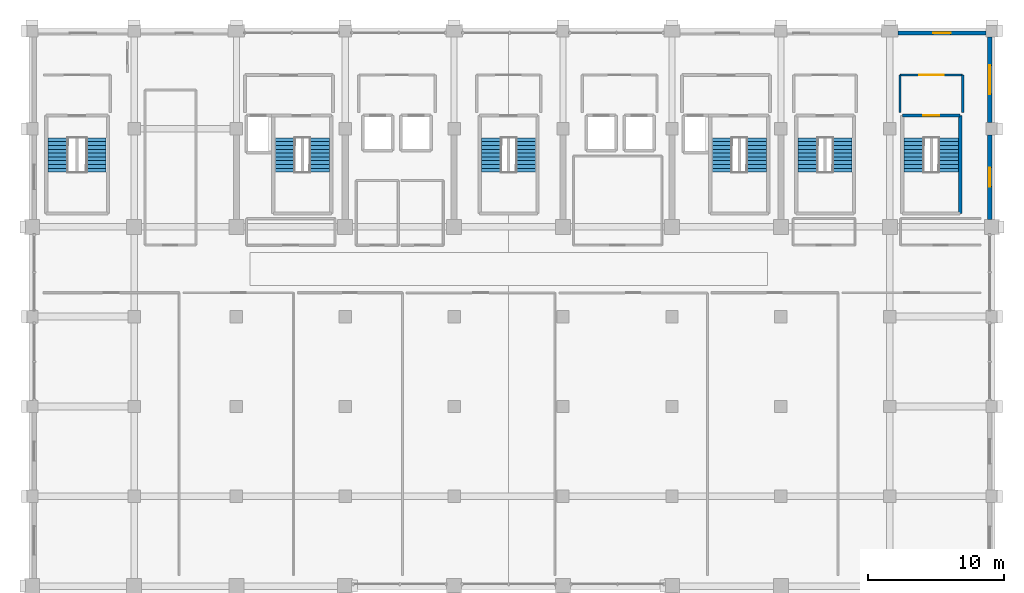
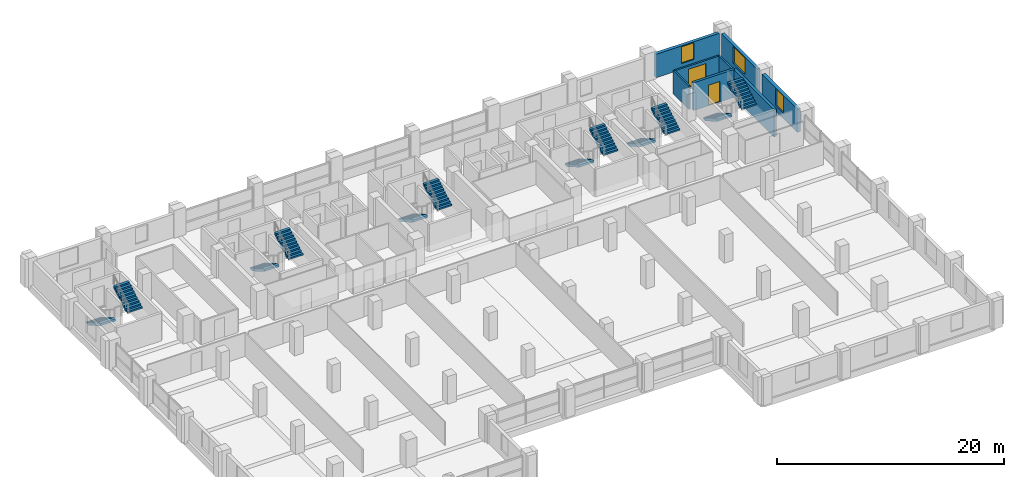
# One storey, part 20 of 21: 12 stair flights, 8 walls, 3 windows, 2 doors, 5 openings, 6 elements without a shape of their own.
"""IFC4 building model written with IfcOpenShell, lengths in metres."""

import ifcopenshell
import ifcopenshell.guid

model = None  # the IFC model being written
_history = None  # IfcOwnerHistory: only IFC2X3 demands one
_inside = {}  # id of a spatial element -> (the spatial element, [elements in it])
_under = {}  # id of a project, library or spatial element -> (it, [spatial elements below it])
_declared = {}  # id of a project -> (the project, [libraries it declares])
_typed = {}  # id of a type object -> (the type object, [elements of that type])
_made_of = {}  # id of a material, layer set ... -> (it, [elements and type objects made of it])


def new_model(schema):
    """Start an empty IFC model of exactly this schema.

    Asked for "IFC4X3", IfcOpenShell would pick the latest addendum, in which some entities
    have other attributes; the version numbers below select the first issue.
    IFC2X3 requires an IfcOwnerHistory on every rooted entity: one is made here for all.
    """
    global model, _history
    if schema == "IFC4X3":
        model = ifcopenshell.file(schema_version=(4, 3, 0, 0))
    else:
        model = ifcopenshell.file(schema=schema)
    _inside.clear()
    _under.clear()
    _declared.clear()
    _typed.clear()
    _made_of.clear()
    _history = None
    if model.schema == "IFC2X3":
        org = make("IfcOrganization", Name="unknown")
        user = make(
            "IfcPersonAndOrganization",
            ThePerson=make("IfcPerson", FamilyName="unknown"),
            TheOrganization=org,
        )
        app = make(
            "IfcApplication",
            ApplicationDeveloper=org,
            Version="unknown",
            ApplicationFullName="unknown",
            ApplicationIdentifier="unknown",
        )
        _history = make(
            "IfcOwnerHistory",
            OwningUser=user,
            OwningApplication=app,
            ChangeAction="ADDED",
            CreationDate=0,
        )
    return model


def make(cls, **values):
    """One entity of the class cls with the attributes given. An attribute that is None is left unset."""
    return model.create_entity(
        cls, **{name: value for name, value in values.items() if value is not None}
    )


def rooted(cls, **values):
    """An entity with a GlobalId (a new one), such as an element, a storey or a relation."""
    return make(cls, GlobalId=ifcopenshell.guid.new(), OwnerHistory=_history, **values)


def si_unit(unit_type, name, prefix=None):
    """IfcSIUnit, for example si_unit("LENGTHUNIT", "METRE", prefix="MILLI")."""
    return make("IfcSIUnit", UnitType=unit_type, Prefix=prefix, Name=name)


def assignment(units):
    """IfcUnitAssignment: the units of a project."""
    return None if units is None else make("IfcUnitAssignment", Units=units)


def point(xyz):
    """IfcCartesianPoint."""
    return None if xyz is None else make("IfcCartesianPoint", Coordinates=xyz)


def direction(xyz):
    """IfcDirection."""
    return None if xyz is None else make("IfcDirection", DirectionRatios=xyz)


def frame(location, z_axis=None, x_axis=None):
    """IfcAxis2Placement3D, a coordinate frame: its origin and axes. An axis left out is left unset."""
    return make(
        "IfcAxis2Placement3D",
        Location=point(location),
        Axis=direction(z_axis),
        RefDirection=direction(x_axis),
    )


def frame_2d(location, x_axis=None):
    """IfcAxis2Placement2D, a coordinate frame in the plane: its origin and x axis."""
    return make(
        "IfcAxis2Placement2D", Location=point(location), RefDirection=direction(x_axis)
    )


def origin():
    """The frame at (0, 0, 0) with its axes left unset."""
    return frame((0.0, 0.0, 0.0))


def place(relative_to, where):
    """IfcLocalPlacement: puts the frame where relative to a parent placement (None: the world)."""
    return make(
        "IfcLocalPlacement", PlacementRelTo=relative_to, RelativePlacement=where
    )


def context(
    kind, dimensions, precision=None, world=None, true_north=None, identifier=None
):
    """IfcGeometricRepresentationContext, for example the 3D "Model" context."""
    return make(
        "IfcGeometricRepresentationContext",
        ContextIdentifier=identifier,
        ContextType=kind,
        CoordinateSpaceDimension=dimensions,
        Precision=precision,
        WorldCoordinateSystem=world,
        TrueNorth=true_north,
    )


def subcontext(parent, identifier, kind, view, scale=None):
    """IfcGeometricRepresentationSubContext, for example "Body" below "Model"."""
    return make(
        "IfcGeometricRepresentationSubContext",
        ContextIdentifier=identifier,
        ContextType=kind,
        ParentContext=parent,
        TargetScale=scale,
        TargetView=view,
    )


def project(units=None, contexts=None):
    """IfcProject with its units and contexts."""
    return rooted(
        "IfcProject",
        Name="project",
        RepresentationContexts=contexts,
        UnitsInContext=assignment(units),
    )


def spatial(cls, under=None, at=None, **own):
    """A site, building, storey or space (cls), placed at a placement, below another one or the project."""
    s = rooted(cls, ObjectPlacement=at, **own)
    if under is not None:
        _under.setdefault(under.id(), (under, []))[1].append(s)
    return s


def polyline(points):
    """IfcPolyline through the points."""
    return make("IfcPolyline", Points=[point(p) for p in points])


def profile(cls, at=None, kind="AREA", **sizes):
    """A parametric profile (cls). Its sizes go by their IFC names, for example OverallWidth=200.0."""
    return make(cls, ProfileType=kind, Position=at, **sizes)


def rectangle(**sizes):
    """IfcRectangleProfileDef."""
    return profile("IfcRectangleProfileDef", **sizes)


def outline(outer, holes=None, kind="AREA"):
    """IfcArbitraryClosedProfileDef: a profile drawn as a closed curve; with holes, ...WithVoids."""
    if holes is None:
        return make("IfcArbitraryClosedProfileDef", ProfileType=kind, OuterCurve=outer)
    return make(
        "IfcArbitraryProfileDefWithVoids",
        ProfileType=kind,
        OuterCurve=outer,
        InnerCurves=holes,
    )


def extrude(swept, where, along, depth):
    """IfcExtrudedAreaSolid: the profile swept, set in the frame where, extruded along a direction by depth."""
    return make(
        "IfcExtrudedAreaSolid",
        SweptArea=swept,
        Position=where,
        ExtrudedDirection=direction(along),
        Depth=depth,
    )


def shape(context_of_items, identifier, shape_type, items):
    """IfcShapeRepresentation: the items that make up one representation, for example the "Body"."""
    return make(
        "IfcShapeRepresentation",
        ContextOfItems=context_of_items,
        RepresentationIdentifier=identifier,
        RepresentationType=shape_type,
        Items=items,
    )


def material(Name=None, Category=None):
    """IfcMaterial."""
    return make("IfcMaterial", Name=Name, Category=Category)


def layer(
    of_material, thickness, ventilated=None, Name=None, Category=None, Priority=None
):
    """IfcMaterialLayer: one layer of a wall or slab, of a material (None: an air gap)."""
    return make(
        "IfcMaterialLayer",
        Material=of_material,
        LayerThickness=thickness,
        IsVentilated=ventilated,
        Name=Name,
        Category=Category,
        Priority=Priority,
    )


def layer_set(layers, Name=None):
    """IfcMaterialLayerSet."""
    return make("IfcMaterialLayerSet", MaterialLayers=layers, LayerSetName=Name)


def made_of(thing, what):
    """Note that an element or type object is made of a material, layer set ...; save() writes the relation."""
    if what is not None:
        _made_of.setdefault(what.id(), (what, []))[1].append(thing)
    return thing


def type_object(cls, material=None, **own):
    """A type object (cls), such as IfcWallType, which elements share."""
    return made_of(rooted(cls, **own), material)


def element(
    cls,
    number,
    at=None,
    inside=None,
    cuts=None,
    type_object=None,
    material=None,
    context=None,
    identifier="Body",
    shape_type=None,
    held_by="IfcProductDefinitionShape",
    body=None,
    shapes=None,
    **own,
):
    """One element of the class cls, such as IfcWall. Its Tag is "e" and its number.

    at: its placement. inside: the storey or other place that contains it. cuts: it is an
    opening in that element (IfcRelVoidsElement). A single representation is given by context,
    identifier, shape_type and body (its items); several are given by shapes. held_by: the class
    of the entity that holds the representations. save() writes the other relations.
    """
    e = rooted(cls, Tag="e%d" % number, ObjectPlacement=at, **own)
    if body is not None:
        shapes = [shape(context, identifier, shape_type, body)]
    if shapes is not None:
        e.Representation = make(held_by, Representations=shapes)
    if inside is not None:
        _inside.setdefault(inside.id(), (inside, []))[1].append(e)
    if cuts is not None:
        rooted(
            "IfcRelVoidsElement", RelatingBuildingElement=cuts, RelatedOpeningElement=e
        )
    if type_object is not None:
        _typed.setdefault(type_object.id(), (type_object, []))[1].append(e)
    return made_of(e, material)


def fill(opening, filler):
    """IfcRelFillsElement: the door or window that sits in an opening."""
    return rooted(
        "IfcRelFillsElement",
        RelatingOpeningElement=opening,
        RelatedBuildingElement=filler,
    )


def aggregate(whole, parts):
    """IfcRelAggregates: a whole, such as a stair, and the parts it consists of."""
    return rooted("IfcRelAggregates", RelatingObject=whole, RelatedObjects=parts)


def save(model, path):
    """Write the relations noted so far, then the file.

    IfcRelAggregates (storeys below a building ...), IfcRelContainedInSpatialStructure (elements
    in a storey), IfcRelDefinesByType, IfcRelAssociatesMaterial and IfcRelDeclares: one each for
    every whole, place, type object, material and project.
    """
    for whole, parts in _under.values():
        aggregate(whole, parts)
    for where, things in _inside.values():
        rooted(
            "IfcRelContainedInSpatialStructure",
            RelatedElements=things,
            RelatingStructure=where,
        )
    for kind, things in _typed.values():
        rooted("IfcRelDefinesByType", RelatedObjects=things, RelatingType=kind)
    for what, things in _made_of.values():
        rooted("IfcRelAssociatesMaterial", RelatedObjects=things, RelatingMaterial=what)
    for by, libraries in _declared.values():
        rooted("IfcRelDeclares", RelatingContext=by, RelatedDefinitions=libraries)
    model.write(path)


model = new_model("IFC4")

# Units and contexts
model_context = context("Model", 3, precision=1e-05, world=origin(), true_north=direction((0.0, 1.0)))
body_context = subcontext(model_context, "Body", "Model", "MODEL_VIEW")
ifc_project = project(units=[si_unit("LENGTHUNIT", "METRE"), si_unit("AREAUNIT", "SQUARE_METRE"), si_unit("VOLUMEUNIT", "CUBIC_METRE"), si_unit("PLANEANGLEUNIT", "RADIAN"), si_unit("MASSUNIT", "GRAM", prefix="KILO")], contexts=[model_context])

# Site, building, storey
site_placement = place(None, origin())
site = spatial("IfcSite", under=ifc_project, at=site_placement, CompositionType="ELEMENT")
building_placement = place(site_placement, origin())
building = spatial("IfcBuilding", under=site, at=building_placement, Name="Akrevak Sports Hall", CompositionType="ELEMENT")
storey_placement = place(building_placement, frame((0.0, 0.0, 27.550048828125)))
storey = spatial("IfcBuildingStorey", under=building, at=storey_placement, Name="L05", CompositionType="ELEMENT", Elevation=27.550048828125)

# Wall, opening, window
ifc_material_1 = material(Name="Limestone Ashlar", Category="stone")
ifc_layer_1 = layer(ifc_material_1, 0.070068359375, Name="Limestone Ashlar")
ifc_material_2 = material(Name="Mineral Wool Thermal Insulation", Category="insulation")
ifc_layer_2 = layer(ifc_material_2, 0.090087890625, Name="Mineral Wool Thermal Insulation")
ifc_material_3 = material(Name="Concrete C40/50", Category="concrete")
ifc_layer_3 = layer(ifc_material_3, 0.159912109375, Name="Concrete C40/50")
ifc_layer_set_1 = layer_set([ifc_layer_1, ifc_layer_2, ifc_layer_3], Name="Limestone Ashlar / Mineral Wool Thermal Insulation / Concrete C40/50")
wall_type_1 = type_object("IfcWallType", Name="ARC-WL-EXT-320", PredefinedType="SOLIDWALL", material=ifc_layer_set_1)
wall_1_placement = place(storey_placement, frame((115.340087890625, 55.75, 0.0), z_axis=(0.0, 0.0, 1.0), x_axis=(0.0, 1.0, 0.0)))
wall_1 = element("IfcWall", 1, at=wall_1_placement, inside=storey, type_object=wall_type_1, Name="Tower Stone Facade Wall L05-E17", PredefinedType="SOLIDWALL", context=body_context, shape_type="SweptSolid", body=[
    extrude(rectangle(XDim=6.199951171875, YDim=0.320068359375, at=frame_2d((3.10009765625, 0.0))), origin(), (0.0, 0.0, 1.0), 2.530029296875),
])
opening_1_placement = place(wall_1_placement, frame((2.39990234375, 0.0, 0.6201171875)))
opening_1 = element("IfcOpeningElement", 2, at=opening_1_placement, cuts=wall_1, Name="Opening WN-49", PredefinedType="OPENING", context=body_context, shape_type="SweptSolid", body=[
    extrude(rectangle(XDim=1.39990234375, YDim=1.81005859375, at=frame_2d((0.699951171875, 0.905029296875))), frame((0.0, 0.171875, 0.0), z_axis=(0.0, -1.0, 0.0), x_axis=(1.0, 0.0, 0.0)), (0.0, 0.0, 1.0), 0.343994140625),
])
ifc_material_4 = material(Name="Thermally Broken Bronze Frame & Double Low-E Glass", Category="glass")
window_type_1 = type_object("IfcWindowType", Name="ARC-WIN-SZ-1400x1810", PartitioningType="SINGLE_PANEL", PredefinedType="WINDOW", material=ifc_material_4)
window_1_placement = place(opening_1_placement, origin())
window_1 = element("IfcWindow", 3, at=window_1_placement, inside=storey, type_object=window_type_1, Name="Tower Window L05-E17", OverallHeight=1.81005859375, OverallWidth=1.39990234375, PartitioningType="SINGLE_PANEL", PredefinedType="WINDOW", context=body_context, shape_type="SweptSolid", body=[
    extrude(rectangle(XDim=1.39990234375, YDim=1.81005859375, at=frame_2d((0.699951171875, 0.905029296875))), frame((0.0, 0.030029296875, 0.0), z_axis=(0.0, -1.0, 0.0), x_axis=(1.0, 0.0, 0.0)), (0.0, 0.0, 1.0), 0.06005859375),
])
fill(opening_1, window_1)

wall_2_placement = place(storey_placement, frame((115.340087890625, 62.85009765625, 0.0), z_axis=(0.0, 0.0, 1.0), x_axis=(0.0, 1.0, 0.0)))
wall_2 = element("IfcWall", 4, at=wall_2_placement, inside=storey, type_object=wall_type_1, Name="Tower Stone Facade Wall L05-E18", PredefinedType="SOLIDWALL", context=body_context, shape_type="SweptSolid", body=[
    extrude(rectangle(XDim=6.2998046875, YDim=0.320068359375, at=frame_2d((3.14990234375, 0.0))), origin(), (0.0, 0.0, 1.0), 2.530029296875),
])
opening_2_placement = place(wall_2_placement, frame((2.10009765625, 0.0, 0.6201171875)))
opening_2 = element("IfcOpeningElement", 5, at=opening_2_placement, cuts=wall_2, Name="Opening WN-55", PredefinedType="OPENING", context=body_context, shape_type="SweptSolid", body=[
    extrude(rectangle(XDim=2.10009765625, YDim=1.81005859375, at=frame_2d((1.050048828125, 0.905029296875))), frame((0.0, 0.171875, 0.0), z_axis=(0.0, -1.0, 0.0), x_axis=(1.0, 0.0, 0.0)), (0.0, 0.0, 1.0), 0.343994140625),
])
window_type_2 = type_object("IfcWindowType", Name="ARC-WIN-SZ-2100x1810", PartitioningType="SINGLE_PANEL", PredefinedType="WINDOW", material=ifc_material_4)
window_2_placement = place(opening_2_placement, origin())
window_2 = element("IfcWindow", 6, at=window_2_placement, inside=storey, type_object=window_type_2, Name="Tower Window L05-E18", OverallHeight=1.81005859375, OverallWidth=2.10009765625, PartitioningType="SINGLE_PANEL", PredefinedType="WINDOW", context=body_context, shape_type="SweptSolid", body=[
    extrude(rectangle(XDim=2.10009765625, YDim=1.81005859375, at=frame_2d((1.050048828125, 0.905029296875))), frame((0.0, 0.030029296875, 0.0), z_axis=(0.0, -1.0, 0.0), x_axis=(1.0, 0.0, 0.0)), (0.0, 0.0, 1.0), 0.06005859375),
])
fill(opening_2, window_2)

wall_3_placement = place(storey_placement, frame((115.050048828125, 69.43994140625, 0.0), z_axis=(0.0, 0.0, 1.0), x_axis=(-1.0, 0.0, 0.0)))
wall_3 = element("IfcWall", 7, at=wall_3_placement, inside=storey, type_object=wall_type_1, Name="Tower Stone Facade Wall L05-N19", PredefinedType="SOLIDWALL", context=body_context, shape_type="SweptSolid", body=[
    extrude(rectangle(XDim=6.449951171875, YDim=0.320068359375, at=frame_2d((3.22509765625, 0.0))), origin(), (0.0, 0.0, 1.0), 2.530029296875),
])
opening_3_placement = place(wall_3_placement, frame((2.574951171875, 0.0, 0.6201171875)))
opening_3 = element("IfcOpeningElement", 8, at=opening_3_placement, cuts=wall_3, Name="Opening WN-12", PredefinedType="OPENING", context=body_context, shape_type="SweptSolid", body=[
    extrude(rectangle(XDim=1.300048828125, YDim=1.800048828125, at=frame_2d((0.64990234375, 0.89990234375))), frame((0.0, 0.171875, 0.0), z_axis=(0.0, -1.0, 0.0), x_axis=(1.0, 0.0, 0.0)), (0.0, 0.0, 1.0), 0.343994140625),
])
window_type_3 = type_object("IfcWindowType", Name="ARC-WIN-TW-130x180", PartitioningType="SINGLE_PANEL", PredefinedType="WINDOW", material=ifc_material_4)
window_3_placement = place(opening_3_placement, origin())
window_3 = element("IfcWindow", 9, at=window_3_placement, inside=storey, type_object=window_type_3, Name="Tower Window L05-N19", OverallHeight=1.800048828125, OverallWidth=1.300048828125, PartitioningType="SINGLE_PANEL", PredefinedType="WINDOW", context=body_context, shape_type="SweptSolid", body=[
    extrude(rectangle(XDim=1.300048828125, YDim=1.800048828125, at=frame_2d((0.64990234375, 0.89990234375))), frame((0.0, 0.030029296875, 0.0), z_axis=(0.0, -1.0, 0.0), x_axis=(1.0, 0.0, 0.0)), (0.0, 0.0, 1.0), 0.06005859375),
])
fill(opening_3, window_3)

# Wall, opening, door
ifc_material_5 = material(Name="Autoclaved Aerated Masonry Block", Category="masonry")
ifc_layer_4 = layer(ifc_material_5, 0.179931640625, Name="Autoclaved Aerated Masonry Block")
ifc_layer_set_2 = layer_set([ifc_layer_4], Name="Autoclaved Aerated Masonry Block")
wall_type_2 = type_object("IfcWallType", Name="ARC-WL-PRT-180", PredefinedType="PARTITIONING", material=ifc_layer_set_2)
wall_4_placement = place(storey_placement, frame((108.75, 66.35009765625, 0.0), z_axis=(0.0, 0.0, 1.0), x_axis=(1.0, 0.0, 0.0)))
wall_4 = element("IfcWall", 10, at=wall_4_placement, inside=storey, type_object=wall_type_2, Name="Interior Partition East Transfer Stair ST11 Vestibule L05 (N)", PredefinedType="PARTITIONING", context=body_context, shape_type="SweptSolid", body=[
    extrude(rectangle(XDim=4.60009765625, YDim=0.179931640625, at=frame_2d((2.300048828125, 0.0))), origin(), (0.0, 0.0, 1.0), 2.530029296875),
])
opening_4_placement = place(wall_4_placement, frame((1.39990234375, 0.0, 0.0)))
opening_4 = element("IfcOpeningElement", 11, at=opening_4_placement, cuts=wall_4, Name="Opening FD-02", PredefinedType="OPENING", context=body_context, shape_type="SweptSolid", body=[
    extrude(rectangle(XDim=1.800048828125, YDim=2.199951171875, at=frame_2d((0.89990234375, 1.10009765625))), frame((0.0, 0.10205078125, 0.0), z_axis=(0.0, -1.0, 0.0), x_axis=(1.0, 0.0, 0.0)), (0.0, 0.0, 1.0), 0.203857421875),
])
ifc_material_6 = material(Name="Fire-Rated Galvanized Door Steel", Category="steel")
door_type_1 = type_object("IfcDoorType", Name="ARC-DR-FIRE-180x220", OperationType="DOUBLE_DOOR_SINGLE_SWING", PredefinedType="DOOR", material=ifc_material_6)
door_1_placement = place(opening_4_placement, frame((1.800048828125, 0.0, 0.0), z_axis=(0.0, 0.0, 1.0), x_axis=(-1.0, 0.0, 0.0)))
door_1 = element("IfcDoor", 12, at=door_1_placement, inside=storey, type_object=door_type_1, Name="Door to East Transfer Stair ST11 Vestibule L05", OperationType="DOUBLE_DOOR_SINGLE_SWING", OverallHeight=2.199951171875, OverallWidth=1.800048828125, PredefinedType="DOOR", context=body_context, shape_type="SweptSolid", body=[
    extrude(rectangle(XDim=1.800048828125, YDim=2.199951171875, at=frame_2d((0.89990234375, 1.10009765625))), frame((0.0, 0.02490234375, 0.0), z_axis=(0.0, -1.0, 0.0), x_axis=(1.0, 0.0, 0.0)), (0.0, 0.0, 1.0), 0.050048828125),
])
fill(opening_4, door_1)

# Walls
for number, where, z_axis, x_axis, name in (
    (13, (108.75, 63.60009765625, 0.0), (0.0, 0.0, 1.0), (0.0, 1.0, 0.0), "Interior Partition East Transfer Stair ST11 Vestibule L05 (W)"),
    (14, (113.35009765625, 63.60009765625, 0.0), (0.0, 0.0, 1.0), (0.0, 1.0, 0.0), "Interior Partition East Transfer Stair ST11 Vestibule L05 (E)"),
):
    element("IfcWall", number, at=place(storey_placement, frame(where, z_axis=z_axis, x_axis=x_axis)), inside=storey, type_object=wall_type_2, Name=name, PredefinedType="PARTITIONING", context=body_context, shape_type="SweptSolid", body=[
        extrude(rectangle(XDim=2.75, YDim=0.179931640625, at=frame_2d((1.375, 0.0))), origin(), (0.0, 0.0, 1.0), 2.530029296875),
    ])

# Wall, opening, door
ifc_material_7 = material(Name="Concrete C50/60", Category="concrete")
ifc_layer_5 = layer(ifc_material_7, 0.25, Name="Concrete C50/60")
ifc_layer_set_3 = layer_set([ifc_layer_5], Name="Concrete C50/60")
wall_type_3 = type_object("IfcWallType", Name="STR-WL-STAIR-250", PredefinedType="SHEAR", material=ifc_layer_set_3)
wall_5_placement = place(storey_placement, frame((113.175048828125, 63.375, 0.0), z_axis=(0.0, 0.0, 1.0), x_axis=(-1.0, 0.0, 0.0)))
wall_5 = element("IfcWall", 15, at=wall_5_placement, inside=storey, type_object=wall_type_3, Name="Stair Core ST11 Shear Wall N (L05)", PredefinedType="SHEAR", context=body_context, shape_type="SweptSolid", body=[
    extrude(rectangle(XDim=4.25, YDim=0.25, at=frame_2d((2.125, 0.0))), origin(), (0.0, 0.0, 1.0), 2.989990234375),
])
opening_5_placement = place(wall_5_placement, frame((1.52490234375, 0.0, 0.0)))
opening_5 = element("IfcOpeningElement", 16, at=opening_5_placement, cuts=wall_5, Name="Opening SD-02", PredefinedType="OPENING", context=body_context, shape_type="SweptSolid", body=[
    extrude(rectangle(XDim=1.199951171875, YDim=2.199951171875, at=frame_2d((0.60009765625, 1.10009765625))), frame((0.0, 0.136962890625, 0.0), z_axis=(0.0, -1.0, 0.0), x_axis=(1.0, 0.0, 0.0)), (0.0, 0.0, 1.0), 0.27392578125),
])
door_type_2 = type_object("IfcDoorType", Name="ARC-DR-STAIR-120x220", OperationType="NOTDEFINED", PredefinedType="DOOR", material=ifc_material_6)
door_2_placement = place(opening_5_placement, origin())
door_2 = element("IfcDoor", 17, at=door_2_placement, inside=storey, type_object=door_type_2, Name="Exit Stair ST11 Door (L05)", OperationType="SINGLE_SWING_LEFT", OverallHeight=2.199951171875, OverallWidth=1.199951171875, PredefinedType="DOOR", context=body_context, shape_type="SweptSolid", body=[
    extrude(rectangle(XDim=1.199951171875, YDim=2.199951171875, at=frame_2d((0.60009765625, 1.10009765625))), frame((0.0, 0.02490234375, 0.0), z_axis=(0.0, -1.0, 0.0), x_axis=(1.0, 0.0, 0.0)), (0.0, 0.0, 1.0), 0.050048828125),
])
fill(opening_5, door_2)

# Wall
wall_6_placement = place(storey_placement, frame((113.175048828125, 56.175048828125, 0.0), z_axis=(0.0, 0.0, 1.0), x_axis=(0.0, 1.0, 0.0)))
element("IfcWall", 18, at=wall_6_placement, inside=storey, type_object=wall_type_3, Name="Stair Core ST11 Shear Wall E (L05)", PredefinedType="SHEAR", context=body_context, shape_type="SweptSolid", body=[
    extrude(rectangle(XDim=7.199951171875, YDim=0.25, at=frame_2d((3.60009765625, 0.0))), origin(), (0.0, 0.0, 1.0), 2.989990234375),
])

# Stair, stair flights
stair_type_1 = type_object("IfcStairType", Name="ARC-STR-DOG-325", PredefinedType="HALF_TURN_STAIR", material=ifc_material_3)
stair_1_placement = place(storey_placement, origin())
stair_1 = element("IfcStair", 19, at=stair_1_placement, inside=storey, type_object=stair_type_1, Name="Protected Exit Stair ST1 (L05 to L06)", PredefinedType="HALF_TURN_STAIR")
stair_flight_type_1 = type_object("IfcStairFlightType", Name="ARC-FLT-165-163", PredefinedType="STRAIGHT", material=ifc_material_3)
stair_flight_1_placement = place(storey_placement, frame((63.610107421875, 61.735107421875, 0.0), z_axis=(0.0, 0.0, 1.0), x_axis=(0.0, -1.0, 0.0)))
stair_flight_1 = element("IfcStairFlight", 20, at=stair_flight_1_placement, type_object=stair_flight_type_1, Name="Stair ST1 Flight 1 (L05)", NumberOfRisers=10, NumberOfTreads=9, PredefinedType="STRAIGHT", RiserHeight=0.1625, TreadLength=0.28, context=body_context, shape_type="SweptSolid", body=[
    extrude(outline(polyline([(0.0, 0.0), (0.0, 0.16259765625), (0.280029296875, 0.16259765625), (0.280029296875, 0.324951171875), (0.56005859375, 0.324951171875), (0.56005859375, 0.487548828125), (0.840087890625, 0.487548828125), (0.840087890625, 0.64990234375), (1.1201171875, 0.64990234375), (1.1201171875, 0.8125), (1.39990234375, 0.8125), (1.39990234375, 0.97509765625), (1.679931640625, 0.97509765625), (1.679931640625, 1.137451171875), (1.9599609375, 1.137451171875), (1.9599609375, 1.300048828125), (2.239990234375, 1.300048828125), (2.239990234375, 1.46240234375), (2.52001953125, 1.46240234375), (2.52001953125, 1.625), (2.52001953125, 1.231201171875), (0.3984375, 0.0), (0.0, 0.0)])), frame((0.0, 0.75, 0.0), z_axis=(0.0, -1.0, 0.0), x_axis=(1.0, 0.0, 0.0)), (0.0, 0.0, 1.0), 1.5),
])
stair_flight_2_placement = place(storey_placement, frame((66.090087890625, 59.215087890625, 1.625), z_axis=(0.0, 0.0, 1.0), x_axis=(0.0, 1.0, 0.0)))
stair_flight_2 = element("IfcStairFlight", 21, at=stair_flight_2_placement, type_object=stair_flight_type_1, Name="Stair ST1 Flight 2 (L05)", NumberOfRisers=10, NumberOfTreads=9, PredefinedType="STRAIGHT", RiserHeight=0.1625, TreadLength=0.28, context=body_context, shape_type="SweptSolid", body=[
    extrude(outline(polyline([(0.0, 0.0), (0.0, 0.16259765625), (0.280029296875, 0.16259765625), (0.280029296875, 0.324951171875), (0.56005859375, 0.324951171875), (0.56005859375, 0.487548828125), (0.840087890625, 0.487548828125), (0.840087890625, 0.64990234375), (1.1201171875, 0.64990234375), (1.1201171875, 0.8125), (1.39990234375, 0.8125), (1.39990234375, 0.97509765625), (1.679931640625, 0.97509765625), (1.679931640625, 1.137451171875), (1.9599609375, 1.137451171875), (1.9599609375, 1.300048828125), (2.239990234375, 1.300048828125), (2.239990234375, 1.46240234375), (2.52001953125, 1.46240234375), (2.52001953125, 1.625), (2.52001953125, 1.231201171875), (0.3984375, 0.0), (0.0, 0.0)])), frame((0.0, 0.75, 0.0), z_axis=(0.0, -1.0, 0.0), x_axis=(1.0, 0.0, 0.0)), (0.0, 0.0, 1.0), 1.5),
])
aggregate(stair_1, [stair_flight_1, stair_flight_2])

stair_2_placement = place(storey_placement, origin())
stair_2 = element("IfcStair", 22, at=stair_2_placement, inside=storey, type_object=stair_type_1, Name="Protected Exit Stair ST2 (L05 to L06)", PredefinedType="HALF_TURN_STAIR")
stair_flight_3_placement = place(storey_placement, frame((95.7099609375, 61.735107421875, 0.0), z_axis=(0.0, 0.0, 1.0), x_axis=(0.0, -1.0, 0.0)))
stair_flight_3 = element("IfcStairFlight", 23, at=stair_flight_3_placement, type_object=stair_flight_type_1, Name="Stair ST2 Flight 1 (L05)", NumberOfRisers=10, NumberOfTreads=9, PredefinedType="STRAIGHT", RiserHeight=0.1625, TreadLength=0.28, context=body_context, shape_type="SweptSolid", body=[
    extrude(outline(polyline([(0.0, 0.0), (0.0, 0.16259765625), (0.280029296875, 0.16259765625), (0.280029296875, 0.324951171875), (0.56005859375, 0.324951171875), (0.56005859375, 0.487548828125), (0.840087890625, 0.487548828125), (0.840087890625, 0.64990234375), (1.1201171875, 0.64990234375), (1.1201171875, 0.8125), (1.39990234375, 0.8125), (1.39990234375, 0.97509765625), (1.679931640625, 0.97509765625), (1.679931640625, 1.137451171875), (1.9599609375, 1.137451171875), (1.9599609375, 1.300048828125), (2.239990234375, 1.300048828125), (2.239990234375, 1.46240234375), (2.52001953125, 1.46240234375), (2.52001953125, 1.625), (2.52001953125, 1.231201171875), (0.3984375, 0.0), (0.0, 0.0)])), frame((0.0, 0.75, 0.0), z_axis=(0.0, -1.0, 0.0), x_axis=(1.0, 0.0, 0.0)), (0.0, 0.0, 1.0), 1.5),
])
stair_flight_4_placement = place(storey_placement, frame((98.18994140625, 59.215087890625, 1.625), z_axis=(0.0, 0.0, 1.0), x_axis=(0.0, 1.0, 0.0)))
stair_flight_4 = element("IfcStairFlight", 24, at=stair_flight_4_placement, type_object=stair_flight_type_1, Name="Stair ST2 Flight 2 (L05)", NumberOfRisers=10, NumberOfTreads=9, PredefinedType="STRAIGHT", RiserHeight=0.1625, TreadLength=0.28, context=body_context, shape_type="SweptSolid", body=[
    extrude(outline(polyline([(0.0, 0.0), (0.0, 0.16259765625), (0.280029296875, 0.16259765625), (0.280029296875, 0.324951171875), (0.56005859375, 0.324951171875), (0.56005859375, 0.487548828125), (0.840087890625, 0.487548828125), (0.840087890625, 0.64990234375), (1.1201171875, 0.64990234375), (1.1201171875, 0.8125), (1.39990234375, 0.8125), (1.39990234375, 0.97509765625), (1.679931640625, 0.97509765625), (1.679931640625, 1.137451171875), (1.9599609375, 1.137451171875), (1.9599609375, 1.300048828125), (2.239990234375, 1.300048828125), (2.239990234375, 1.46240234375), (2.52001953125, 1.46240234375), (2.52001953125, 1.625), (2.52001953125, 1.231201171875), (0.3984375, 0.0), (0.0, 0.0)])), frame((0.0, 0.75, 0.0), z_axis=(0.0, -1.0, 0.0), x_axis=(1.0, 0.0, 0.0)), (0.0, 0.0, 1.0), 1.5),
])
aggregate(stair_2, [stair_flight_3, stair_flight_4])

stair_3_placement = place(storey_placement, origin())
stair_3 = element("IfcStair", 25, at=stair_3_placement, inside=storey, type_object=stair_type_1, Name="Protected Exit Stair ST3 (L05 to L06)", PredefinedType="HALF_TURN_STAIR")
stair_flight_5_placement = place(storey_placement, frame((78.760009765625, 61.735107421875, 0.0), z_axis=(0.0, 0.0, 1.0), x_axis=(0.0, -1.0, 0.0)))
stair_flight_5 = element("IfcStairFlight", 26, at=stair_flight_5_placement, type_object=stair_flight_type_1, Name="Stair ST3 Flight 1 (L05)", NumberOfRisers=10, NumberOfTreads=9, PredefinedType="STRAIGHT", RiserHeight=0.1625, TreadLength=0.28, context=body_context, shape_type="SweptSolid", body=[
    extrude(outline(polyline([(0.0, 0.0), (0.0, 0.16259765625), (0.280029296875, 0.16259765625), (0.280029296875, 0.324951171875), (0.56005859375, 0.324951171875), (0.56005859375, 0.487548828125), (0.840087890625, 0.487548828125), (0.840087890625, 0.64990234375), (1.1201171875, 0.64990234375), (1.1201171875, 0.8125), (1.39990234375, 0.8125), (1.39990234375, 0.97509765625), (1.679931640625, 0.97509765625), (1.679931640625, 1.137451171875), (1.9599609375, 1.137451171875), (1.9599609375, 1.300048828125), (2.239990234375, 1.300048828125), (2.239990234375, 1.46240234375), (2.52001953125, 1.46240234375), (2.52001953125, 1.625), (2.52001953125, 1.231201171875), (0.3984375, 0.0), (0.0, 0.0)])), frame((0.0, 0.75, 0.0), z_axis=(0.0, -1.0, 0.0), x_axis=(1.0, 0.0, 0.0)), (0.0, 0.0, 1.0), 1.5),
])
stair_flight_6_placement = place(storey_placement, frame((81.239990234375, 59.215087890625, 1.625), z_axis=(0.0, 0.0, 1.0), x_axis=(0.0, 1.0, 0.0)))
stair_flight_6 = element("IfcStairFlight", 27, at=stair_flight_6_placement, type_object=stair_flight_type_1, Name="Stair ST3 Flight 2 (L05)", NumberOfRisers=10, NumberOfTreads=9, PredefinedType="STRAIGHT", RiserHeight=0.1625, TreadLength=0.28, context=body_context, shape_type="SweptSolid", body=[
    extrude(outline(polyline([(0.0, 0.0), (0.0, 0.16259765625), (0.280029296875, 0.16259765625), (0.280029296875, 0.324951171875), (0.56005859375, 0.324951171875), (0.56005859375, 0.487548828125), (0.840087890625, 0.487548828125), (0.840087890625, 0.64990234375), (1.1201171875, 0.64990234375), (1.1201171875, 0.8125), (1.39990234375, 0.8125), (1.39990234375, 0.97509765625), (1.679931640625, 0.97509765625), (1.679931640625, 1.137451171875), (1.9599609375, 1.137451171875), (1.9599609375, 1.300048828125), (2.239990234375, 1.300048828125), (2.239990234375, 1.46240234375), (2.52001953125, 1.46240234375), (2.52001953125, 1.625), (2.52001953125, 1.231201171875), (0.3984375, 0.0), (0.0, 0.0)])), frame((0.0, 0.75, 0.0), z_axis=(0.0, -1.0, 0.0), x_axis=(1.0, 0.0, 0.0)), (0.0, 0.0, 1.0), 1.5),
])
aggregate(stair_3, [stair_flight_5, stair_flight_6])

stair_4_placement = place(storey_placement, origin())
stair_4 = element("IfcStair", 28, at=stair_4_placement, inside=storey, type_object=stair_type_1, Name="East Wing Exit Stair ST10 (L05 to L06)", PredefinedType="HALF_TURN_STAIR")
stair_flight_7_placement = place(storey_placement, frame((102.010009765625, 61.735107421875, 0.0), z_axis=(0.0, 0.0, 1.0), x_axis=(0.0, -1.0, 0.0)))
stair_flight_7 = element("IfcStairFlight", 29, at=stair_flight_7_placement, type_object=stair_flight_type_1, Name="Stair ST10 Flight 1 (L05)", NumberOfRisers=10, NumberOfTreads=9, PredefinedType="STRAIGHT", RiserHeight=0.1625, TreadLength=0.28, context=body_context, shape_type="SweptSolid", body=[
    extrude(outline(polyline([(0.0, 0.0), (0.0, 0.16259765625), (0.280029296875, 0.16259765625), (0.280029296875, 0.324951171875), (0.56005859375, 0.324951171875), (0.56005859375, 0.487548828125), (0.840087890625, 0.487548828125), (0.840087890625, 0.64990234375), (1.1201171875, 0.64990234375), (1.1201171875, 0.8125), (1.39990234375, 0.8125), (1.39990234375, 0.97509765625), (1.679931640625, 0.97509765625), (1.679931640625, 1.137451171875), (1.9599609375, 1.137451171875), (1.9599609375, 1.300048828125), (2.239990234375, 1.300048828125), (2.239990234375, 1.46240234375), (2.52001953125, 1.46240234375), (2.52001953125, 1.625), (2.52001953125, 1.231201171875), (0.3984375, 0.0), (0.0, 0.0)])), frame((0.0, 0.75, 0.0), z_axis=(0.0, -1.0, 0.0), x_axis=(1.0, 0.0, 0.0)), (0.0, 0.0, 1.0), 1.5),
])
stair_flight_8_placement = place(storey_placement, frame((104.489990234375, 59.215087890625, 1.625), z_axis=(0.0, 0.0, 1.0), x_axis=(0.0, 1.0, 0.0)))
stair_flight_8 = element("IfcStairFlight", 30, at=stair_flight_8_placement, type_object=stair_flight_type_1, Name="Stair ST10 Flight 2 (L05)", NumberOfRisers=10, NumberOfTreads=9, PredefinedType="STRAIGHT", RiserHeight=0.1625, TreadLength=0.28, context=body_context, shape_type="SweptSolid", body=[
    extrude(outline(polyline([(0.0, 0.0), (0.0, 0.16259765625), (0.280029296875, 0.16259765625), (0.280029296875, 0.324951171875), (0.56005859375, 0.324951171875), (0.56005859375, 0.487548828125), (0.840087890625, 0.487548828125), (0.840087890625, 0.64990234375), (1.1201171875, 0.64990234375), (1.1201171875, 0.8125), (1.39990234375, 0.8125), (1.39990234375, 0.97509765625), (1.679931640625, 0.97509765625), (1.679931640625, 1.137451171875), (1.9599609375, 1.137451171875), (1.9599609375, 1.300048828125), (2.239990234375, 1.300048828125), (2.239990234375, 1.46240234375), (2.52001953125, 1.46240234375), (2.52001953125, 1.625), (2.52001953125, 1.231201171875), (0.3984375, 0.0), (0.0, 0.0)])), frame((0.0, 0.75, 0.0), z_axis=(0.0, -1.0, 0.0), x_axis=(1.0, 0.0, 0.0)), (0.0, 0.0, 1.0), 1.5),
])
aggregate(stair_4, [stair_flight_7, stair_flight_8])

stair_5_placement = place(storey_placement, origin())
stair_5 = element("IfcStair", 31, at=stair_5_placement, inside=storey, type_object=stair_type_1, Name="East Transfer Exit Stair ST11 (L05 to L06)", PredefinedType="HALF_TURN_STAIR")
stair_flight_9_placement = place(storey_placement, frame((109.81005859375, 61.735107421875, 0.0), z_axis=(0.0, 0.0, 1.0), x_axis=(0.0, -1.0, 0.0)))
stair_flight_9 = element("IfcStairFlight", 32, at=stair_flight_9_placement, type_object=stair_flight_type_1, Name="Stair ST11 Flight 1 (L05)", NumberOfRisers=10, NumberOfTreads=9, PredefinedType="STRAIGHT", RiserHeight=0.1625, TreadLength=0.28, context=body_context, shape_type="SweptSolid", body=[
    extrude(outline(polyline([(0.0, 0.0), (0.0, 0.16259765625), (0.280029296875, 0.16259765625), (0.280029296875, 0.324951171875), (0.56005859375, 0.324951171875), (0.56005859375, 0.487548828125), (0.840087890625, 0.487548828125), (0.840087890625, 0.64990234375), (1.1201171875, 0.64990234375), (1.1201171875, 0.8125), (1.39990234375, 0.8125), (1.39990234375, 0.97509765625), (1.679931640625, 0.97509765625), (1.679931640625, 1.137451171875), (1.9599609375, 1.137451171875), (1.9599609375, 1.300048828125), (2.239990234375, 1.300048828125), (2.239990234375, 1.46240234375), (2.52001953125, 1.46240234375), (2.52001953125, 1.625), (2.52001953125, 1.231201171875), (0.3984375, 0.0), (0.0, 0.0)])), frame((0.0, 0.75, 0.0), z_axis=(0.0, -1.0, 0.0), x_axis=(1.0, 0.0, 0.0)), (0.0, 0.0, 1.0), 1.5),
])
stair_flight_10_placement = place(storey_placement, frame((112.2900390625, 59.215087890625, 1.625), z_axis=(0.0, 0.0, 1.0), x_axis=(0.0, 1.0, 0.0)))
stair_flight_10 = element("IfcStairFlight", 33, at=stair_flight_10_placement, type_object=stair_flight_type_1, Name="Stair ST11 Flight 2 (L05)", NumberOfRisers=10, NumberOfTreads=9, PredefinedType="STRAIGHT", RiserHeight=0.1625, TreadLength=0.28, context=body_context, shape_type="SweptSolid", body=[
    extrude(outline(polyline([(0.0, 0.0), (0.0, 0.16259765625), (0.280029296875, 0.16259765625), (0.280029296875, 0.324951171875), (0.56005859375, 0.324951171875), (0.56005859375, 0.487548828125), (0.840087890625, 0.487548828125), (0.840087890625, 0.64990234375), (1.1201171875, 0.64990234375), (1.1201171875, 0.8125), (1.39990234375, 0.8125), (1.39990234375, 0.97509765625), (1.679931640625, 0.97509765625), (1.679931640625, 1.137451171875), (1.9599609375, 1.137451171875), (1.9599609375, 1.300048828125), (2.239990234375, 1.300048828125), (2.239990234375, 1.46240234375), (2.52001953125, 1.46240234375), (2.52001953125, 1.625), (2.52001953125, 1.231201171875), (0.3984375, 0.0), (0.0, 0.0)])), frame((0.0, 0.75, 0.0), z_axis=(0.0, -1.0, 0.0), x_axis=(1.0, 0.0, 0.0)), (0.0, 0.0, 1.0), 1.5),
])
aggregate(stair_5, [stair_flight_9, stair_flight_10])

stair_type_2 = type_object("IfcStairType", Name="ARC-STR-MDOG-325", PredefinedType="HALF_TURN_STAIR", material=ifc_material_3)
stair_6_placement = place(storey_placement, origin())
stair_6 = element("IfcStair", 34, at=stair_6_placement, inside=storey, type_object=stair_type_2, Name="Protected Exit Stair ST4 (L05 to L06)", PredefinedType="HALF_TURN_STAIR")
stair_flight_type_2 = type_object("IfcStairFlightType", Name="ARC-FLT-200-163", PredefinedType="STRAIGHT", material=ifc_material_3)
stair_flight_11_placement = place(storey_placement, frame((46.9150390625, 61.735107421875, 0.0), z_axis=(0.0, 0.0, 1.0), x_axis=(0.0, -1.0, 0.0)))
stair_flight_11 = element("IfcStairFlight", 35, at=stair_flight_11_placement, type_object=stair_flight_type_2, Name="Stair ST4 Flight 1 (L05)", NumberOfRisers=10, NumberOfTreads=9, PredefinedType="STRAIGHT", RiserHeight=0.1625, TreadLength=0.28, context=body_context, shape_type="SweptSolid", body=[
    extrude(outline(polyline([(0.0, 0.0), (0.0, 0.16259765625), (0.280029296875, 0.16259765625), (0.280029296875, 0.324951171875), (0.56005859375, 0.324951171875), (0.56005859375, 0.487548828125), (0.840087890625, 0.487548828125), (0.840087890625, 0.64990234375), (1.1201171875, 0.64990234375), (1.1201171875, 0.8125), (1.39990234375, 0.8125), (1.39990234375, 0.97509765625), (1.679931640625, 0.97509765625), (1.679931640625, 1.137451171875), (1.9599609375, 1.137451171875), (1.9599609375, 1.300048828125), (2.239990234375, 1.300048828125), (2.239990234375, 1.46240234375), (2.52001953125, 1.46240234375), (2.52001953125, 1.625), (2.52001953125, 1.231201171875), (0.3984375, 0.0), (0.0, 0.0)])), frame((0.0, 0.7548828125, 0.0), z_axis=(0.0, -1.0, 0.0), x_axis=(1.0, 0.0, 0.0)), (0.0, 0.0, 1.0), 1.510009765625),
])
stair_flight_12_placement = place(storey_placement, frame((49.68505859375, 59.215087890625, 1.625), z_axis=(0.0, 0.0, 1.0), x_axis=(0.0, 1.0, 0.0)))
stair_flight_12 = element("IfcStairFlight", 36, at=stair_flight_12_placement, type_object=stair_flight_type_2, Name="Stair ST4 Flight 2 (L05)", NumberOfRisers=10, NumberOfTreads=9, PredefinedType="STRAIGHT", RiserHeight=0.1625, TreadLength=0.28, context=body_context, shape_type="SweptSolid", body=[
    extrude(outline(polyline([(0.0, 0.0), (0.0, 0.16259765625), (0.280029296875, 0.16259765625), (0.280029296875, 0.324951171875), (0.56005859375, 0.324951171875), (0.56005859375, 0.487548828125), (0.840087890625, 0.487548828125), (0.840087890625, 0.64990234375), (1.1201171875, 0.64990234375), (1.1201171875, 0.8125), (1.39990234375, 0.8125), (1.39990234375, 0.97509765625), (1.679931640625, 0.97509765625), (1.679931640625, 1.137451171875), (1.9599609375, 1.137451171875), (1.9599609375, 1.300048828125), (2.239990234375, 1.300048828125), (2.239990234375, 1.46240234375), (2.52001953125, 1.46240234375), (2.52001953125, 1.625), (2.52001953125, 1.231201171875), (0.3984375, 0.0), (0.0, 0.0)])), frame((0.0, 0.7548828125, 0.0), z_axis=(0.0, -1.0, 0.0), x_axis=(1.0, 0.0, 0.0)), (0.0, 0.0, 1.0), 1.510009765625),
])
aggregate(stair_6, [stair_flight_11, stair_flight_12])

save(model, "model.ifc")
